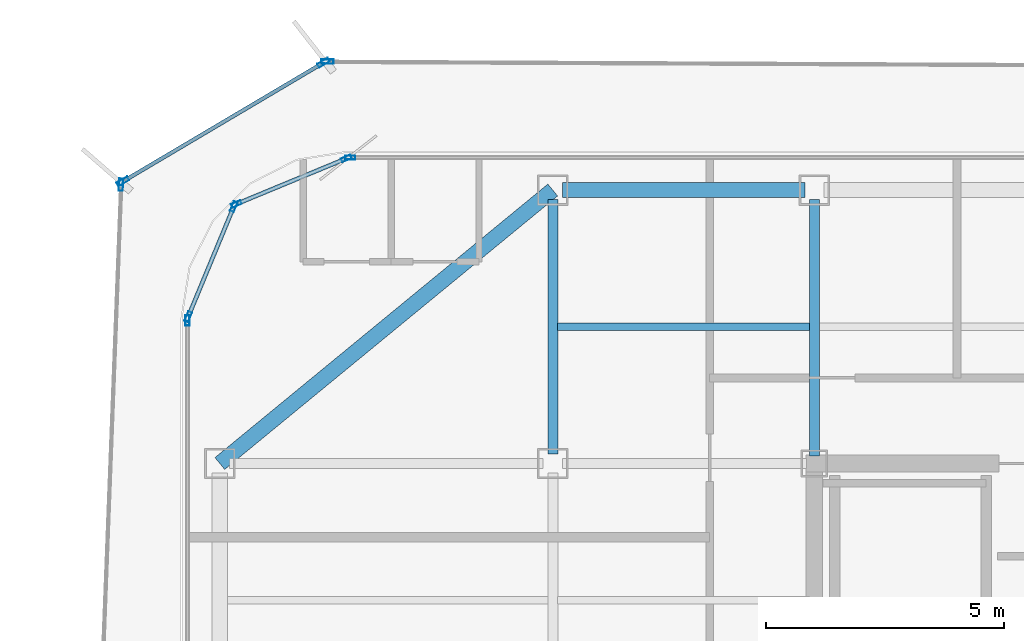
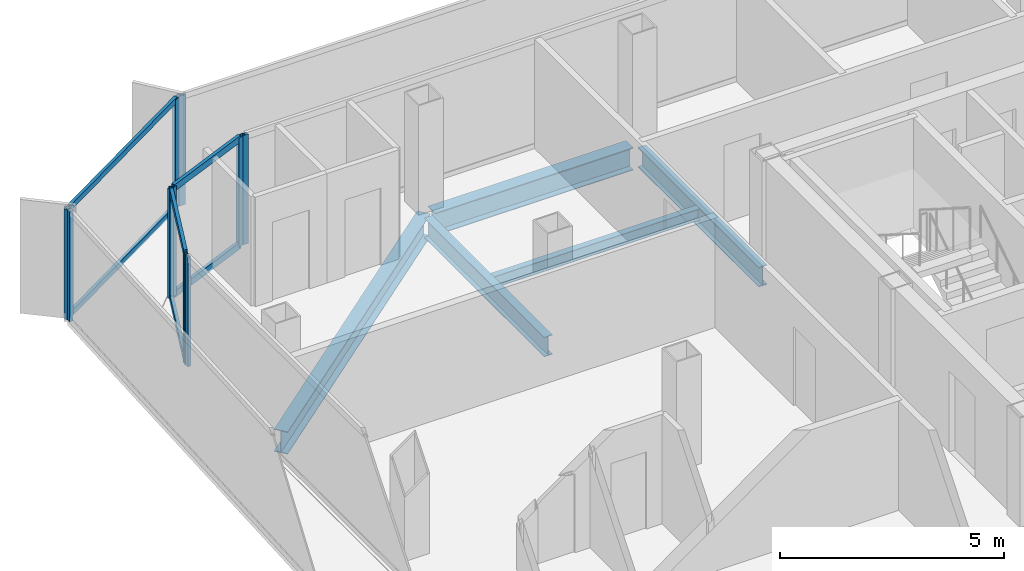
# One storey, part 6 of 16: 16 members, 5 beams, 7 elements without a shape of their own.
"""IFC4 building model written with IfcOpenShell, lengths in metres."""

from ifc_helpers import new_model, si_unit, direction, frame, origin, origin_2d, place, context, subcontext, project, spatial, hollow_rectangle, i_section, extrude, source, transform, mapped, material, layer, layer_set, material_profile, profile_set, type_object, element, aggregate, save


model = new_model("IFC4")

# Units and contexts
model_context = context("Model", 3, precision=1e-05, world=origin(), true_north=direction((0.0, 1.0)))
body_context = subcontext(model_context, "Body", "Model", "MODEL_VIEW")
ifc_project = project(units=[si_unit("LENGTHUNIT", "METRE"), si_unit("AREAUNIT", "SQUARE_METRE"), si_unit("VOLUMEUNIT", "CUBIC_METRE"), si_unit("PLANEANGLEUNIT", "RADIAN"), si_unit("MASSUNIT", "GRAM", prefix="KILO")], contexts=[model_context])

# Site, building, storey
site_placement = place(None, origin())
site = spatial("IfcSite", under=ifc_project, at=site_placement, CompositionType="ELEMENT")
building_placement = place(site_placement, origin())
building = spatial("IfcBuilding", under=site, at=building_placement, Name="Kolveth Station Tower", CompositionType="ELEMENT")
storey_placement = place(building_placement, frame((0.0, 0.0, 236.10009765625)))
storey = spatial("IfcBuildingStorey", under=building, at=storey_placement, Name="L67", CompositionType="ELEMENT", Elevation=236.10009765625)

# Beams
ifc_material_1 = material(Name="Steel S355", Category="steel")
ifc_material_profile_1 = material_profile(ifc_material_1, i_section(OverallWidth=0.323974609375, OverallDepth=0.611083984375, WebThickness=0.0126953125, FlangeThickness=0.01904296875, at=origin_2d()), Name="W610x155")
ifc_profile_set_1 = profile_set([ifc_material_profile_1], Name="Steel S355")
beam_type_1 = type_object("IfcBeamType", Name="Beam_SP2", PredefinedType="SPANDREL", material=ifc_profile_set_1)
shared_shape_1 = source(origin(), body_context, "Body", "SweptSolid", [
    extrude(i_section(OverallWidth=0.323974609375, OverallDepth=0.611083984375, WebThickness=0.0126953125, FlangeThickness=0.01904296875, at=origin_2d()), origin(), (0.0, 0.0, 1.0), 9.058837890625),
])
beam_1_placement = place(storey_placement, frame((13.0, 34.5, -0.525634765625), z_axis=(-0.772726254525, -0.63473942336, 0.0), x_axis=(0.63473942336, -0.772726254525, 0.0)))
element("IfcBeam", 1, at=beam_1_placement, inside=storey, type_object=beam_type_1, Name="L67 Corner Edge Girder BM-L67-CNR-NW", PredefinedType="SPANDREL", context=body_context, shape_type="MappedRepresentation", body=[
    mapped(shared_shape_1, transform((0.0, 0.0, 0.0), x_axis=(1.0, 0.0, 0.0), y_axis=(0.0, 1.0, 0.0), z_axis=(0.0, 0.0, 1.0), scale=1.0)),
])
shared_shape_2 = source(origin(), body_context, "Body", "SweptSolid", [
    extrude(i_section(OverallWidth=0.323974609375, OverallDepth=0.611083984375, WebThickness=0.0126953125, FlangeThickness=0.01904296875, at=origin_2d()), origin(), (0.0, 0.0, 1.0), 5.10009765625),
])
beam_2_placement = place(storey_placement, frame((13.199951171875, 34.5, -0.525634765625), z_axis=(1.0, 0.0, 0.0), x_axis=(0.0, 1.0, 0.0)))
element("IfcBeam", 2, at=beam_2_placement, inside=storey, type_object=beam_type_1, Name="L67 Perimeter Spandrel BM-L67-PN-1", PredefinedType="SPANDREL", context=body_context, shape_type="MappedRepresentation", body=[
    mapped(shared_shape_2, transform((0.0, 0.0, 0.0), x_axis=(1.0, 0.0, 0.0), y_axis=(0.0, 1.0, 0.0), z_axis=(0.0, 0.0, 1.0), scale=1.0)),
])
ifc_material_profile_2 = material_profile(ifc_material_1, i_section(OverallWidth=0.2099609375, OverallDepth=0.537109375, WebThickness=0.010986328125, FlangeThickness=0.017333984375, at=origin_2d()), Name="W530x101")
ifc_profile_set_2 = profile_set([ifc_material_profile_2], Name="Steel S355")
beam_type_2 = type_object("IfcBeamType", Name="Beam_B6", PredefinedType="BEAM", material=ifc_profile_set_2)
shared_shape_3 = source(origin(), body_context, "Body", "SweptSolid", [
    extrude(i_section(OverallWidth=0.2099609375, OverallDepth=0.537109375, WebThickness=0.010986328125, FlangeThickness=0.017333984375, at=origin_2d()), origin(), (0.0, 0.0, 1.0), 5.35009765625),
])
beam_3_placement = place(storey_placement, frame((13.0, 28.949951171875, -0.488525390625), z_axis=(0.0, 1.0, 0.0), x_axis=(-1.0, 0.0, 0.0)))
element("IfcBeam", 3, at=beam_3_placement, inside=storey, type_object=beam_type_2, Name="L67 Primary Girder BM-L67-GX130-6", PredefinedType="BEAM", context=body_context, shape_type="MappedRepresentation", body=[
    mapped(shared_shape_3, transform((0.0, 0.0, 0.0), x_axis=(1.0, 0.0, 0.0), y_axis=(0.0, 1.0, 0.0), z_axis=(0.0, 0.0, 1.0), scale=1.0)),
])
shared_shape_4 = source(origin(), body_context, "Body", "SweptSolid", [
    extrude(i_section(OverallWidth=0.2099609375, OverallDepth=0.537109375, WebThickness=0.010986328125, FlangeThickness=0.017333984375, at=origin_2d()), origin(), (0.0, 0.0, 1.0), 5.39013671875),
])
beam_4_placement = place(storey_placement, frame((18.5, 28.909912109375, -0.488525390625), z_axis=(0.0, 1.0, 0.0), x_axis=(-1.0, 0.0, 0.0)))
element("IfcBeam", 4, at=beam_4_placement, inside=storey, type_object=beam_type_2, Name="L67 Primary Girder BM-L67-GX185-6", PredefinedType="BEAM", context=body_context, shape_type="MappedRepresentation", body=[
    mapped(shared_shape_4, transform((0.0, 0.0, 0.0), x_axis=(1.0, 0.0, 0.0), y_axis=(0.0, 1.0, 0.0), z_axis=(0.0, 0.0, 1.0), scale=1.0)),
])
ifc_material_profile_3 = material_profile(ifc_material_1, i_section(OverallWidth=0.1650390625, OverallDepth=0.31005859375, WebThickness=0.005859375, FlangeThickness=0.009765625, at=origin_2d()), Name="W310x39")
ifc_profile_set_3 = profile_set([ifc_material_profile_3], Name="Steel S355")
beam_type_3 = type_object("IfcBeamType", Name="Beam_J3", PredefinedType="JOIST", material=ifc_profile_set_3)
shared_shape_5 = source(origin(), body_context, "Body", "SweptSolid", [
    extrude(i_section(OverallWidth=0.1650390625, OverallDepth=0.31005859375, WebThickness=0.005859375, FlangeThickness=0.009765625, at=origin_2d()), origin(), (0.0, 0.0, 1.0), 5.2939453125),
])
beam_5_placement = place(storey_placement, frame((13.10302734375, 31.625, -0.375), z_axis=(1.0, 0.0, 0.0), x_axis=(0.0, 1.0, 0.0)))
element("IfcBeam", 5, at=beam_5_placement, inside=storey, type_object=beam_type_3, Name="L67 Secondary Joist JST-L67-2-6", PredefinedType="JOIST", context=body_context, shape_type="MappedRepresentation", body=[
    mapped(shared_shape_5, transform((0.0, 0.0, 0.0), x_axis=(1.0, 0.0, 0.0), y_axis=(0.0, 1.0, 0.0), z_axis=(0.0, 0.0, 1.0), scale=1.0)),
])

# Curtain wall, member
ifc_material_2 = material(Name="Black anodized aluminium 6063-T6 and dark solar glass", Category="aluminium")
ifc_layer_1 = layer(ifc_material_2, 0.159912109375)
ifc_layer_set_1 = layer_set([ifc_layer_1], Name="Black anodized aluminium 6063-T6 and dark solar glass")
curtain_wall_type_1 = type_object("IfcCurtainWallType", Name="OUTER SKIN CW-OS", PredefinedType="NOTDEFINED", material=ifc_layer_set_1)
curtain_wall_1_placement = place(storey_placement, origin())
curtain_wall_1 = element("IfcCurtainWall", 6, at=curtain_wall_1_placement, inside=storey, type_object=curtain_wall_type_1, Name="L67 Outer Ventilated Skin Curtain Wall 4", PredefinedType="NOTDEFINED")
ifc_material_3 = material(Name="Black anodized aluminium 6063-T6", Category="aluminium")
ifc_material_profile_4 = material_profile(ifc_material_3, hollow_rectangle(XDim=0.090087890625, YDim=0.260009765625, WallThickness=0.0048828125, at=origin_2d()), Name="ALU-90x260x5")
ifc_profile_set_4 = profile_set([ifc_material_profile_4], Name="Black anodized aluminium 6063-T6")
member_type_1 = type_object("IfcMemberType", Name="FIN MULLION ML-OS", PredefinedType="MULLION", material=ifc_profile_set_4)
shared_shape_6 = source(origin(), body_context, "Body", "SweptSolid", [
    extrude(hollow_rectangle(XDim=0.090087890625, YDim=0.260009765625, WallThickness=0.0048828125, at=origin_2d()), origin(), (0.0, 0.0, 1.0), 2.989990234375),
])
member_1_placement = place(storey_placement, frame((8.264404296875, 37.200439453125, 0.0), z_axis=(0.0, 0.0, 1.0), x_axis=(-0.004565667705, -0.999989577285, 0.0)))
member_1 = element("IfcMember", 7, at=member_1_placement, type_object=member_type_1, Name="CW-OS mullion 2", PredefinedType="MULLION", context=body_context, shape_type="MappedRepresentation", body=[
    mapped(shared_shape_6, transform((0.0, 0.0, 0.0), x_axis=(1.0, 0.0, 0.0), y_axis=(0.0, 1.0, 0.0), z_axis=(0.0, 0.0, 1.0), scale=1.0)),
])
aggregate(curtain_wall_1, [member_1])

# Curtain wall, members
curtain_wall_2_placement = place(storey_placement, origin())
curtain_wall_2 = element("IfcCurtainWall", 8, at=curtain_wall_2_placement, inside=storey, type_object=curtain_wall_type_1, Name="L67 Outer Ventilated Skin Curtain Wall 5", PredefinedType="NOTDEFINED")
member_2_placement = place(storey_placement, frame((8.1806640625, 37.177734375, 0.0), z_axis=(0.0, 0.0, 1.0), x_axis=(0.509468006016, -0.860489599499, 0.0)))
member_2 = element("IfcMember", 9, at=member_2_placement, type_object=member_type_1, Name="CW-OS mullion 1", PredefinedType="MULLION", context=body_context, shape_type="MappedRepresentation", body=[
    mapped(shared_shape_6, transform((0.0, 0.0, 0.0), x_axis=(1.0, 0.0, 0.0), y_axis=(0.0, 1.0, 0.0), z_axis=(0.0, 0.0, 1.0), scale=1.0)),
])
member_3_placement = place(storey_placement, frame((3.9619140625, 34.679931640625, 0.0), z_axis=(0.0, 0.0, 1.0), x_axis=(0.509468006016, -0.860489599499, 0.0)))
member_3 = element("IfcMember", 10, at=member_3_placement, type_object=member_type_1, Name="CW-OS mullion 2", PredefinedType="MULLION", context=body_context, shape_type="MappedRepresentation", body=[
    mapped(shared_shape_6, transform((0.0, 0.0, 0.0), x_axis=(1.0, 0.0, 0.0), y_axis=(0.0, 1.0, 0.0), z_axis=(0.0, 0.0, 1.0), scale=1.0)),
])

# Curtain wall, member
curtain_wall_3_placement = place(storey_placement, origin())
curtain_wall_3 = element("IfcCurtainWall", 11, at=curtain_wall_3_placement, inside=storey, type_object=curtain_wall_type_1, Name="L67 Outer Ventilated Skin Curtain Wall 6", PredefinedType="NOTDEFINED")
member_4_placement = place(storey_placement, frame((3.92138671875, 34.61181640625, 0.0), z_axis=(0.0, 0.0, 1.0), x_axis=(0.999259492628, -0.038476829309, 0.0)))
member_4 = element("IfcMember", 12, at=member_4_placement, type_object=member_type_1, Name="CW-OS mullion 1", PredefinedType="MULLION", context=body_context, shape_type="MappedRepresentation", body=[
    mapped(shared_shape_6, transform((0.0, 0.0, 0.0), x_axis=(1.0, 0.0, 0.0), y_axis=(0.0, 1.0, 0.0), z_axis=(0.0, 0.0, 1.0), scale=1.0)),
])
aggregate(curtain_wall_3, [member_4])

ifc_material_4 = material(Name="Aluminium 6063-T6 and triple low-E dark glass", Category="aluminium")
ifc_layer_2 = layer(ifc_material_4, 0.199951171875)
ifc_layer_set_2 = layer_set([ifc_layer_2], Name="Aluminium 6063-T6 and triple low-E dark glass")
curtain_wall_type_2 = type_object("IfcCurtainWallType", Name="CurtainWall_CW-Z3", PredefinedType="NOTDEFINED", material=ifc_layer_set_2)
curtain_wall_4_placement = place(storey_placement, origin())
curtain_wall_4 = element("IfcCurtainWall", 13, at=curtain_wall_4_placement, inside=storey, type_object=curtain_wall_type_2, Name="L67 Inner Thermal Curtain Wall 6", PredefinedType="NOTDEFINED")
ifc_material_profile_5 = material_profile(ifc_material_3, hollow_rectangle(XDim=0.0849609375, YDim=0.215087890625, WallThickness=0.0048828125, at=origin_2d()), Name="ALU-85x215x5")
ifc_profile_set_5 = profile_set([ifc_material_profile_5], Name="Black anodized aluminium 6063-T6")
member_type_2 = type_object("IfcMemberType", Name="Mullion_ML3", PredefinedType="MULLION", material=ifc_profile_set_5)
shared_shape_7 = source(origin(), body_context, "Body", "SweptSolid", [
    extrude(hollow_rectangle(XDim=0.0849609375, YDim=0.215087890625, WallThickness=0.0048828125, at=origin_2d()), origin(), (0.0, 0.0, 1.0), 2.97998046875),
])
member_5_placement = place(storey_placement, frame((8.742431640625, 35.179931640625, 0.0), z_axis=(0.0, 0.0, 1.0), x_axis=(0.0, -1.0, 0.0)))
member_5 = element("IfcMember", 14, at=member_5_placement, type_object=member_type_2, Name="CW-Z3 mullion 2", PredefinedType="MULLION", context=body_context, shape_type="MappedRepresentation", body=[
    mapped(shared_shape_7, transform((0.0, 0.0, 0.0), x_axis=(1.0, 0.0, 0.0), y_axis=(0.0, 1.0, 0.0), z_axis=(0.0, 0.0, 1.0), scale=1.0)),
])
aggregate(curtain_wall_4, [member_5])

# Curtain wall, members
curtain_wall_5_placement = place(storey_placement, origin())
curtain_wall_5 = element("IfcCurtainWall", 15, at=curtain_wall_5_placement, inside=storey, type_object=curtain_wall_type_2, Name="L67 Inner Thermal Curtain Wall 7", PredefinedType="NOTDEFINED")
member_6_placement = place(storey_placement, frame((8.66064453125, 35.163818359375, 0.0), z_axis=(0.0, 0.0, 1.0), x_axis=(0.382693194181, -0.923875488975, 0.0)))
member_6 = element("IfcMember", 16, at=member_6_placement, type_object=member_type_2, Name="CW-Z3 mullion 1", PredefinedType="MULLION", context=body_context, shape_type="MappedRepresentation", body=[
    mapped(shared_shape_7, transform((0.0, 0.0, 0.0), x_axis=(1.0, 0.0, 0.0), y_axis=(0.0, 1.0, 0.0), z_axis=(0.0, 0.0, 1.0), scale=1.0)),
])
member_7_placement = place(storey_placement, frame((6.349365234375, 34.206298828125, 0.0), z_axis=(0.0, 0.0, 1.0), x_axis=(0.382693194181, -0.923875488975, 0.0)))
member_7 = element("IfcMember", 17, at=member_7_placement, type_object=member_type_2, Name="CW-Z3 mullion 2", PredefinedType="MULLION", context=body_context, shape_type="MappedRepresentation", body=[
    mapped(shared_shape_7, transform((0.0, 0.0, 0.0), x_axis=(1.0, 0.0, 0.0), y_axis=(0.0, 1.0, 0.0), z_axis=(0.0, 0.0, 1.0), scale=1.0)),
])

curtain_wall_6_placement = place(storey_placement, origin())
curtain_wall_6 = element("IfcCurtainWall", 18, at=curtain_wall_6_placement, inside=storey, type_object=curtain_wall_type_2, Name="L67 Inner Thermal Curtain Wall 8", PredefinedType="NOTDEFINED")
member_8_placement = place(storey_placement, frame((6.293701171875, 34.150634765625, 0.0), z_axis=(0.0, 0.0, 1.0), x_axis=(0.923875488975, -0.382693194181, 0.0)))
member_8 = element("IfcMember", 19, at=member_8_placement, type_object=member_type_2, Name="CW-Z3 mullion 1", PredefinedType="MULLION", context=body_context, shape_type="MappedRepresentation", body=[
    mapped(shared_shape_7, transform((0.0, 0.0, 0.0), x_axis=(1.0, 0.0, 0.0), y_axis=(0.0, 1.0, 0.0), z_axis=(0.0, 0.0, 1.0), scale=1.0)),
])
member_9_placement = place(storey_placement, frame((5.336181640625, 31.83935546875, 0.0), z_axis=(0.0, 0.0, 1.0), x_axis=(0.923875488975, -0.382693194181, 0.0)))
member_9 = element("IfcMember", 20, at=member_9_placement, type_object=member_type_2, Name="CW-Z3 mullion 2", PredefinedType="MULLION", context=body_context, shape_type="MappedRepresentation", body=[
    mapped(shared_shape_7, transform((0.0, 0.0, 0.0), x_axis=(1.0, 0.0, 0.0), y_axis=(0.0, 1.0, 0.0), z_axis=(0.0, 0.0, 1.0), scale=1.0)),
])

# Curtain wall, member
curtain_wall_7_placement = place(storey_placement, origin())
curtain_wall_7 = element("IfcCurtainWall", 21, at=curtain_wall_7_placement, inside=storey, type_object=curtain_wall_type_2, Name="L67 Inner Thermal Curtain Wall 9", PredefinedType="NOTDEFINED")
member_10_placement = place(storey_placement, frame((5.320068359375, 31.757568359375, 0.0), z_axis=(0.0, 0.0, 1.0), x_axis=(1.0, 0.0, 0.0)))
member_10 = element("IfcMember", 22, at=member_10_placement, type_object=member_type_2, Name="CW-Z3 mullion 1", PredefinedType="MULLION", context=body_context, shape_type="MappedRepresentation", body=[
    mapped(shared_shape_7, transform((0.0, 0.0, 0.0), x_axis=(1.0, 0.0, 0.0), y_axis=(0.0, 1.0, 0.0), z_axis=(0.0, 0.0, 1.0), scale=1.0)),
])
aggregate(curtain_wall_7, [member_10])

# Member
ifc_material_profile_6 = material_profile(ifc_material_3, hollow_rectangle(XDim=0.0849609375, YDim=0.179931640625, WallThickness=0.0048828125, at=origin_2d()), Name="ALU-85x180x5")
ifc_profile_set_6 = profile_set([ifc_material_profile_6], Name="Black anodized aluminium 6063-T6")
member_type_3 = type_object("IfcMemberType", Name="Transom_TR3", PredefinedType="USERDEFINED", material=ifc_profile_set_6)
shared_shape_8 = source(origin(), body_context, "Body", "SweptSolid", [
    extrude(hollow_rectangle(XDim=0.0849609375, YDim=0.179931640625, WallThickness=0.0048828125, at=origin_2d()), origin(), (0.0, 0.0, 1.0), 2.417236328125),
])
member_11_placement = place(storey_placement, frame((8.62158203125, 35.1474609375, 0.04248046875), z_axis=(-0.923872799448, -0.382699687013, 0.0), x_axis=(0.382699687013, -0.923872799448, 0.0)))
member_11 = element("IfcMember", 23, at=member_11_placement, type_object=member_type_3, Name="CW-Z3 transom 1.1", ObjectType="TRANSOM", PredefinedType="USERDEFINED", context=body_context, shape_type="MappedRepresentation", body=[
    mapped(shared_shape_8, transform((0.0, 0.0, 0.0), x_axis=(1.0, 0.0, 0.0), y_axis=(0.0, 1.0, 0.0), z_axis=(0.0, 0.0, 1.0), scale=1.0)),
])

member_12_placement = place(storey_placement, frame((8.62158203125, 35.1474609375, 2.9375), z_axis=(-0.923872799448, -0.382699687013, 0.0), x_axis=(0.382699687013, -0.923872799448, 0.0)))
member_12 = element("IfcMember", 24, at=member_12_placement, type_object=member_type_3, Name="CW-Z3 transom 1.2", ObjectType="TRANSOM", PredefinedType="USERDEFINED", context=body_context, shape_type="MappedRepresentation", body=[
    mapped(shared_shape_8, transform((0.0, 0.0, 0.0), x_axis=(1.0, 0.0, 0.0), y_axis=(0.0, 1.0, 0.0), z_axis=(0.0, 0.0, 1.0), scale=1.0)),
])

aggregate(curtain_wall_5, [member_6, member_7, member_11, member_12])

member_13_placement = place(storey_placement, frame((6.277587890625, 34.111572265625, 0.04248046875), z_axis=(-0.382699687013, -0.923872799448, 0.0), x_axis=(0.923872799448, -0.382699687013, 0.0)))
member_13 = element("IfcMember", 25, at=member_13_placement, type_object=member_type_3, Name="CW-Z3 transom 1.1", ObjectType="TRANSOM", PredefinedType="USERDEFINED", context=body_context, shape_type="MappedRepresentation", body=[
    mapped(shared_shape_8, transform((0.0, 0.0, 0.0), x_axis=(1.0, 0.0, 0.0), y_axis=(0.0, 1.0, 0.0), z_axis=(0.0, 0.0, 1.0), scale=1.0)),
])

member_14_placement = place(storey_placement, frame((6.277587890625, 34.111572265625, 2.9375), z_axis=(-0.382699687013, -0.923872799448, 0.0), x_axis=(0.923872799448, -0.382699687013, 0.0)))
member_14 = element("IfcMember", 26, at=member_14_placement, type_object=member_type_3, Name="CW-Z3 transom 1.2", ObjectType="TRANSOM", PredefinedType="USERDEFINED", context=body_context, shape_type="MappedRepresentation", body=[
    mapped(shared_shape_8, transform((0.0, 0.0, 0.0), x_axis=(1.0, 0.0, 0.0), y_axis=(0.0, 1.0, 0.0), z_axis=(0.0, 0.0, 1.0), scale=1.0)),
])

aggregate(curtain_wall_6, [member_8, member_9, member_13, member_14])

ifc_material_profile_7 = material_profile(ifc_material_3, hollow_rectangle(XDim=0.080078125, YDim=0.14990234375, WallThickness=0.0048828125, at=origin_2d()), Name="ALU-80x150x5")
ifc_profile_set_7 = profile_set([ifc_material_profile_7], Name="Black anodized aluminium 6063-T6")
member_type_4 = type_object("IfcMemberType", Name="Transom_TR-OS", PredefinedType="USERDEFINED", material=ifc_profile_set_7)
shared_shape_9 = source(origin(), body_context, "Body", "SweptSolid", [
    extrude(hollow_rectangle(XDim=0.080078125, YDim=0.14990234375, WallThickness=0.0048828125, at=origin_2d()), origin(), (0.0, 0.0, 1.0), 4.81298828125),
])
member_15_placement = place(storey_placement, frame((8.141845703125, 37.15478515625, 0.039794921875), z_axis=(-0.860472755492, -0.50949645441, 0.0), x_axis=(0.50949645441, -0.860472755492, 0.0)))
member_15 = element("IfcMember", 27, at=member_15_placement, type_object=member_type_4, Name="CW-OS transom 1.1", ObjectType="TRANSOM", PredefinedType="USERDEFINED", context=body_context, shape_type="MappedRepresentation", body=[
    mapped(shared_shape_9, transform((0.0, 0.0, 0.0), x_axis=(1.0, 0.0, 0.0), y_axis=(0.0, 1.0, 0.0), z_axis=(0.0, 0.0, 1.0), scale=1.0)),
])

member_16_placement = place(storey_placement, frame((8.141845703125, 37.15478515625, 2.949951171875), z_axis=(-0.860472755492, -0.50949645441, 0.0), x_axis=(0.50949645441, -0.860472755492, 0.0)))
member_16 = element("IfcMember", 28, at=member_16_placement, type_object=member_type_4, Name="CW-OS transom 1.2", ObjectType="TRANSOM", PredefinedType="USERDEFINED", context=body_context, shape_type="MappedRepresentation", body=[
    mapped(shared_shape_9, transform((0.0, 0.0, 0.0), x_axis=(1.0, 0.0, 0.0), y_axis=(0.0, 1.0, 0.0), z_axis=(0.0, 0.0, 1.0), scale=1.0)),
])

aggregate(curtain_wall_2, [member_2, member_3, member_15, member_16])

save(model, "model.ifc")
